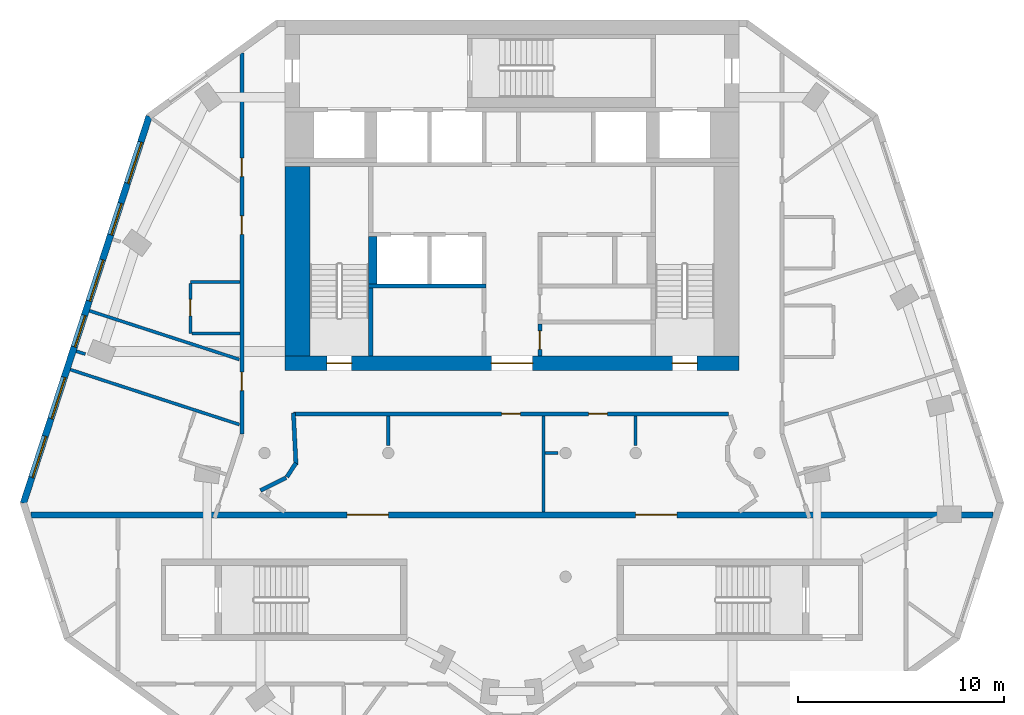
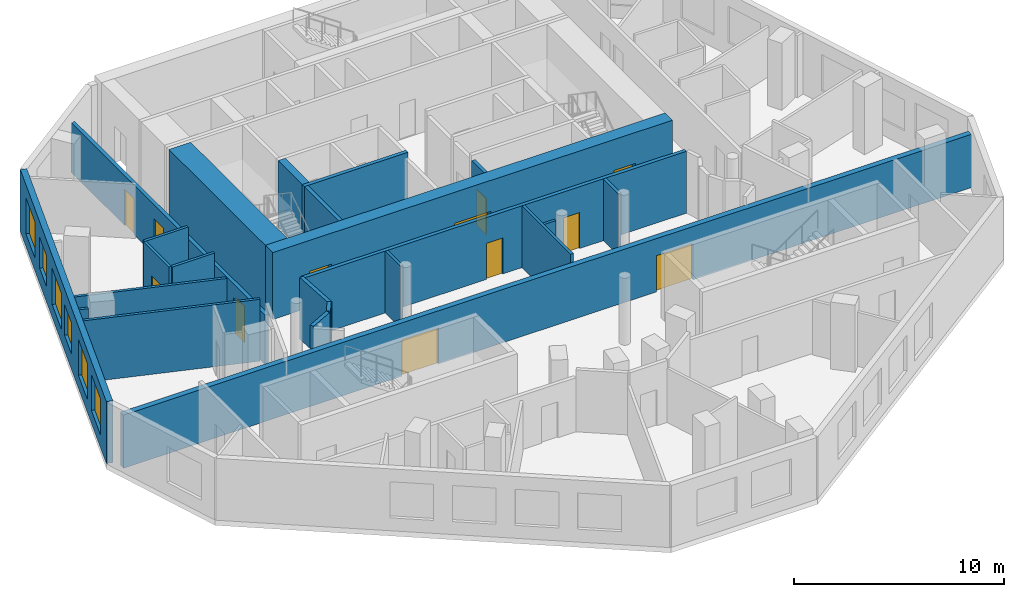
# One storey, part 3 of 9: 23 walls, 12 doors, 6 windows, 18 openings.
"""IFC4 building model written with IfcOpenShell, lengths in metres."""

from ifc_helpers import new_model, si_unit, direction, frame, frame_2d, origin, place, context, subcontext, project, spatial, rectangle, extrude, material, layer, layer_set, type_object, element, fill, save


model = new_model("IFC4")

# Units and contexts
model_context = context("Model", 3, precision=1e-05, world=origin(), true_north=direction((0.0, 1.0)))
body_context = subcontext(model_context, "Body", "Model", "MODEL_VIEW")
ifc_project = project(units=[si_unit("LENGTHUNIT", "METRE"), si_unit("AREAUNIT", "SQUARE_METRE"), si_unit("VOLUMEUNIT", "CUBIC_METRE"), si_unit("PLANEANGLEUNIT", "RADIAN"), si_unit("MASSUNIT", "GRAM", prefix="KILO")], contexts=[model_context])

# Site, building, storey
site_placement = place(None, origin())
site = spatial("IfcSite", under=ifc_project, at=site_placement, CompositionType="ELEMENT")
building_placement = place(site_placement, origin())
building = spatial("IfcBuilding", under=site, at=building_placement, Name="White Candle Pilgrim Tower", CompositionType="ELEMENT")
storey_placement = place(building_placement, frame((0.0, 0.0, 256.10009765625)))
storey = spatial("IfcBuildingStorey", under=building, at=storey_placement, Name="L60", CompositionType="ELEMENT", Elevation=256.10009765625)

# Wall, openings, doors
ifc_material_1 = material(Name="Gypsum board on steel studs", Category="steel")
ifc_layer_1 = layer(ifc_material_1, 0.199951171875)
ifc_layer_set_1 = layer_set([ifc_layer_1], Name="Corridor wall 200 mm EI 45")
wall_type_1 = type_object("IfcWallType", Name="Corridor wall 200 mm EI 45", PredefinedType="PARTITIONING", material=ifc_layer_set_1)
wall_1_placement = place(storey_placement, frame((56.89990234375, 67.928466796875, 0.0), z_axis=(0.0, 0.0, 1.0), x_axis=(0.0, 1.0, 0.0)))
wall_1 = element("IfcWall", 1, at=wall_1_placement, inside=storey, type_object=wall_type_1, Name="WL-L60-P003", PredefinedType="PARTITIONING", context=body_context, shape_type="SweptSolid", body=[
    extrude(rectangle(XDim=18.4677734375, YDim=0.199951171875, at=frame_2d((9.23388671875, 0.0))), origin(), (0.0, 0.0, 1.0), 2.89990234375),
])
opening_1_placement = place(wall_1_placement, frame((2.0947265625, 0.0, 0.0)))
opening_1 = element("IfcOpeningElement", 2, at=opening_1_placement, cuts=wall_1, Name="Opening T18-118", PredefinedType="OPENING", context=body_context, shape_type="SweptSolid", body=[
    extrude(rectangle(XDim=0.89990234375, YDim=2.10009765625, at=frame_2d((0.449951171875, 1.050048828125))), frame((0.0, 0.10986328125, 0.0), z_axis=(0.0, -1.0, 0.0), x_axis=(1.0, 0.0, 0.0)), (0.0, 0.0, 1.0), 0.219970703125),
])
opening_2_placement = place(wall_1_placement, frame((9.6767578125, 0.0, 0.0)))
opening_2 = element("IfcOpeningElement", 3, at=opening_2_placement, cuts=wall_1, Name="Opening T18-119", PredefinedType="OPENING", context=body_context, shape_type="SweptSolid", body=[
    extrude(rectangle(XDim=0.89990234375, YDim=2.10009765625, at=frame_2d((0.449951171875, 1.050048828125))), frame((0.0, 0.10986328125, 0.0), z_axis=(0.0, -1.0, 0.0), x_axis=(1.0, 0.0, 0.0)), (0.0, 0.0, 1.0), 0.219970703125),
])
opening_3_placement = place(wall_1_placement, frame((12.4775390625, 0.0, 0.0)))
opening_3 = element("IfcOpeningElement", 4, at=opening_3_placement, cuts=wall_1, Name="Opening T18-120", PredefinedType="OPENING", context=body_context, shape_type="SweptSolid", body=[
    extrude(rectangle(XDim=0.89990234375, YDim=2.10009765625, at=frame_2d((0.449951171875, 1.050048828125))), frame((0.0, 0.10986328125, 0.0), z_axis=(0.0, -1.0, 0.0), x_axis=(1.0, 0.0, 0.0)), (0.0, 0.0, 1.0), 0.219970703125),
])
ifc_material_2 = material(Name="Steel door leaf", Category="steel")
door_type_1 = type_object("IfcDoorType", Name="Fire door 900 x 2100 EI 30", OperationType="NOTDEFINED", PredefinedType="DOOR", material=ifc_material_2)
door_1_placement = place(opening_1_placement, origin())
door_1 = element("IfcDoor", 5, at=door_1_placement, inside=storey, type_object=door_type_1, Name="Door T18-118", OperationType="SINGLE_SWING_RIGHT", OverallHeight=2.10009765625, OverallWidth=0.89990234375, PredefinedType="DOOR", context=body_context, shape_type="SweptSolid", body=[
    extrude(rectangle(XDim=0.89990234375, YDim=2.10009765625, at=frame_2d((0.449951171875, 1.050048828125))), frame((0.0, 0.02490234375, 0.0), z_axis=(0.0, -1.0, 0.0), x_axis=(1.0, 0.0, 0.0)), (0.0, 0.0, 1.0), 0.050048828125),
])
fill(opening_1, door_1)
door_2_placement = place(opening_2_placement, origin())
door_2 = element("IfcDoor", 6, at=door_2_placement, inside=storey, type_object=door_type_1, Name="Door T18-119", OperationType="SINGLE_SWING_LEFT", OverallHeight=2.10009765625, OverallWidth=0.89990234375, PredefinedType="DOOR", context=body_context, shape_type="SweptSolid", body=[
    extrude(rectangle(XDim=0.89990234375, YDim=2.10009765625, at=frame_2d((0.449951171875, 1.050048828125))), frame((0.0, 0.02490234375, 0.0), z_axis=(0.0, -1.0, 0.0), x_axis=(1.0, 0.0, 0.0)), (0.0, 0.0, 1.0), 0.050048828125),
])
fill(opening_2, door_2)
door_3_placement = place(opening_3_placement, origin())
door_3 = element("IfcDoor", 7, at=door_3_placement, inside=storey, type_object=door_type_1, Name="Door T18-120", OperationType="SINGLE_SWING_RIGHT", OverallHeight=2.10009765625, OverallWidth=0.89990234375, PredefinedType="DOOR", context=body_context, shape_type="SweptSolid", body=[
    extrude(rectangle(XDim=0.89990234375, YDim=2.10009765625, at=frame_2d((0.449951171875, 1.050048828125))), frame((0.0, 0.02490234375, 0.0), z_axis=(0.0, -1.0, 0.0), x_axis=(1.0, 0.0, 0.0)), (0.0, 0.0, 1.0), 0.050048828125),
])
fill(opening_3, door_3)

wall_2_placement = place(storey_placement, frame((80.498291015625, 68.89990234375, 0.0), z_axis=(0.0, 0.0, 1.0), x_axis=(-1.0, 0.0, 0.0)))
wall_2 = element("IfcWall", 8, at=wall_2_placement, inside=storey, type_object=wall_type_1, Name="WL-L60-P018", PredefinedType="PARTITIONING", context=body_context, shape_type="SweptSolid", body=[
    extrude(rectangle(XDim=21.09521484375, YDim=0.199951171875, at=frame_2d((10.547607421875, 0.0))), origin(), (0.0, 0.0, 1.0), 3.599853515625),
])
opening_4_placement = place(wall_2_placement, frame((5.878662109375, 0.0, 0.0)))
opening_4 = element("IfcOpeningElement", 9, at=opening_4_placement, cuts=wall_2, Name="Opening T18-125", PredefinedType="OPENING", context=body_context, shape_type="SweptSolid", body=[
    extrude(rectangle(XDim=0.89990234375, YDim=2.10009765625, at=frame_2d((0.449951171875, 1.050048828125))), frame((0.0, 0.10986328125, 0.0), z_axis=(0.0, -1.0, 0.0), x_axis=(1.0, 0.0, 0.0)), (0.0, 0.0, 1.0), 0.219970703125),
])
opening_5_placement = place(wall_2_placement, frame((10.09765625, 0.0, 0.0)))
opening_5 = element("IfcOpeningElement", 10, at=opening_5_placement, cuts=wall_2, Name="Opening T18-126", PredefinedType="OPENING", context=body_context, shape_type="SweptSolid", body=[
    extrude(rectangle(XDim=0.89990234375, YDim=2.10009765625, at=frame_2d((0.449951171875, 1.050048828125))), frame((0.0, 0.10986328125, 0.0), z_axis=(0.0, -1.0, 0.0), x_axis=(1.0, 0.0, 0.0)), (0.0, 0.0, 1.0), 0.219970703125),
])
door_4_placement = place(opening_4_placement, origin())
door_4 = element("IfcDoor", 11, at=door_4_placement, inside=storey, type_object=door_type_1, Name="Door T18-125", OperationType="SINGLE_SWING_LEFT", OverallHeight=2.10009765625, OverallWidth=0.89990234375, PredefinedType="DOOR", context=body_context, shape_type="SweptSolid", body=[
    extrude(rectangle(XDim=0.89990234375, YDim=2.10009765625, at=frame_2d((0.449951171875, 1.050048828125))), frame((0.0, 0.02490234375, 0.0), z_axis=(0.0, -1.0, 0.0), x_axis=(1.0, 0.0, 0.0)), (0.0, 0.0, 1.0), 0.050048828125),
])
fill(opening_4, door_4)
door_5_placement = place(opening_5_placement, origin())
door_5 = element("IfcDoor", 12, at=door_5_placement, inside=storey, type_object=door_type_1, Name="Door T18-126", OperationType="SINGLE_SWING_RIGHT", OverallHeight=2.10009765625, OverallWidth=0.89990234375, PredefinedType="DOOR", context=body_context, shape_type="SweptSolid", body=[
    extrude(rectangle(XDim=0.89990234375, YDim=2.10009765625, at=frame_2d((0.449951171875, 1.050048828125))), frame((0.0, 0.02490234375, 0.0), z_axis=(0.0, -1.0, 0.0), x_axis=(1.0, 0.0, 0.0)), (0.0, 0.0, 1.0), 0.050048828125),
])
fill(opening_5, door_5)

# Walls
wall_3_placement = place(storey_placement, frame((59.400634765625, 68.95068359375, 0.0), z_axis=(0.0, 0.0, 1.0), x_axis=(0.04896364113, -0.998800561597, 0.0)))
element("IfcWall", 13, at=wall_3_placement, inside=storey, type_object=wall_type_1, Name="WL-L60-P019", PredefinedType="PARTITIONING", context=body_context, shape_type="SweptSolid", body=[
    extrude(rectangle(XDim=2.537841796875, YDim=0.199951171875, at=frame_2d((1.26904296875, 0.0))), origin(), (0.0, 0.0, 1.0), 3.599853515625),
])
wall_4_placement = place(storey_placement, frame((59.52001953125, 66.5126953125, 0.0), z_axis=(0.0, 0.0, 1.0), x_axis=(-0.543705102189, -0.839276332238, 0.0)))
element("IfcWall", 14, at=wall_4_placement, inside=storey, type_object=wall_type_1, Name="WL-L60-P020", PredefinedType="PARTITIONING", context=body_context, shape_type="SweptSolid", body=[
    extrude(rectangle(XDim=0.802978515625, YDim=0.199951171875, at=frame_2d((0.4013671875, 0.0))), origin(), (0.0, 0.0, 1.0), 3.599853515625),
])
wall_5_placement = place(storey_placement, frame((59.044189453125, 65.8037109375, 0.0), z_axis=(0.0, 0.0, 1.0), x_axis=(-0.894883208543, -0.44630039555, 0.0)))
element("IfcWall", 15, at=wall_5_placement, inside=storey, type_object=wall_type_1, Name="WL-L60-P021", PredefinedType="PARTITIONING", context=body_context, shape_type="SweptSolid", body=[
    extrude(rectangle(XDim=1.390625, YDim=0.199951171875, at=frame_2d((0.6953125, 0.0))), origin(), (0.0, 0.0, 1.0), 3.599853515625),
])

# Wall, openings, windows
ifc_material_3 = material(Name="Precast concrete C40/50", Category="concrete")
ifc_layer_2 = layer(ifc_material_3, 0.320068359375)
ifc_layer_set_2 = layer_set([ifc_layer_2], Name="Facade wall EW1 precast concrete C40/50 pier wall with timber-lined reveals")
wall_type_2 = type_object("IfcWallType", Name="Facade wall EW1 precast concrete C40/50 pier wall with timber-lined reveals", PredefinedType="SOLIDWALL", material=ifc_layer_set_2)
wall_6_placement = place(storey_placement, frame((52.4033203125, 83.326904296875, 0.0), z_axis=(0.0, 0.0, 1.0), x_axis=(-0.309025614403, -0.951053715435, 0.0)))
wall_6 = element("IfcWall", 16, at=wall_6_placement, inside=storey, type_object=wall_type_2, Name="Facade wall L60 WNW", PredefinedType="SOLIDWALL", context=body_context, shape_type="SweptSolid", body=[
    extrude(rectangle(XDim=19.72314453125, YDim=0.320068359375, at=frame_2d((9.861572265625, 0.0))), origin(), (0.0, 0.0, 1.0), 3.599853515625),
])
opening_6_placement = place(wall_6_placement, frame((1.3115234375, 0.0, 0.75)))
opening_6 = element("IfcOpeningElement", 17, at=opening_6_placement, cuts=wall_6, Name="Opening W3", PredefinedType="OPENING", context=body_context, shape_type="SweptSolid", body=[
    extrude(rectangle(XDim=2.10009765625, YDim=2.10009765625, at=frame_2d((1.050048828125, 1.050048828125))), frame((0.0, 0.169921875, 0.0), z_axis=(0.0, -1.0, 0.0), x_axis=(1.0, 0.0, 0.0)), (0.0, 0.0, 1.0), 0.340087890625),
])
opening_7_placement = place(wall_6_placement, frame((4.439208984375, 0.0, 0.89990234375)))
opening_7 = element("IfcOpeningElement", 18, at=opening_7_placement, cuts=wall_6, Name="Opening W2", PredefinedType="OPENING", context=body_context, shape_type="SweptSolid", body=[
    extrude(rectangle(XDim=1.60009765625, YDim=1.800048828125, at=frame_2d((0.800048828125, 0.89990234375))), frame((0.0, 0.169921875, 0.0), z_axis=(0.0, -1.0, 0.0), x_axis=(1.0, 0.0, 0.0)), (0.0, 0.0, 1.0), 0.340087890625),
])
opening_8_placement = place(wall_6_placement, frame((7.3115234375, 0.0, 0.75)))
opening_8 = element("IfcOpeningElement", 19, at=opening_8_placement, cuts=wall_6, Name="Opening W3", PredefinedType="OPENING", context=body_context, shape_type="SweptSolid", body=[
    extrude(rectangle(XDim=2.10009765625, YDim=2.10009765625, at=frame_2d((1.050048828125, 1.050048828125))), frame((0.0, 0.169921875, 0.0), z_axis=(0.0, -1.0, 0.0), x_axis=(1.0, 0.0, 0.0)), (0.0, 0.0, 1.0), 0.340087890625),
])
opening_9_placement = place(wall_6_placement, frame((10.14794921875, 0.0, 0.89990234375)))
opening_9 = element("IfcOpeningElement", 20, at=opening_9_placement, cuts=wall_6, Name="Opening W2", PredefinedType="OPENING", context=body_context, shape_type="SweptSolid", body=[
    extrude(rectangle(XDim=1.60009765625, YDim=1.800048828125, at=frame_2d((0.800048828125, 0.89990234375))), frame((0.0, 0.169921875, 0.0), z_axis=(0.0, -1.0, 0.0), x_axis=(1.0, 0.0, 0.0)), (0.0, 0.0, 1.0), 0.340087890625),
])
opening_10_placement = place(wall_6_placement, frame((13.3115234375, 0.0, 0.75)))
opening_10 = element("IfcOpeningElement", 21, at=opening_10_placement, cuts=wall_6, Name="Opening W3", PredefinedType="OPENING", context=body_context, shape_type="SweptSolid", body=[
    extrude(rectangle(XDim=2.10009765625, YDim=2.10009765625, at=frame_2d((1.050048828125, 1.050048828125))), frame((0.0, 0.169921875, 0.0), z_axis=(0.0, -1.0, 0.0), x_axis=(1.0, 0.0, 0.0)), (0.0, 0.0, 1.0), 0.340087890625),
])
opening_11_placement = place(wall_6_placement, frame((16.3115234375, 0.0, 0.75)))
opening_11 = element("IfcOpeningElement", 22, at=opening_11_placement, cuts=wall_6, Name="Opening W3", PredefinedType="OPENING", context=body_context, shape_type="SweptSolid", body=[
    extrude(rectangle(XDim=2.10009765625, YDim=2.10009765625, at=frame_2d((1.050048828125, 1.050048828125))), frame((0.0, 0.169921875, 0.0), z_axis=(0.0, -1.0, 0.0), x_axis=(1.0, 0.0, 0.0)), (0.0, 0.0, 1.0), 0.340087890625),
])
ifc_material_4 = material(Name="Timber frame with triple glazing", Category="wood")
window_type_1 = type_object("IfcWindowType", Name="Window W2 1600x1800 timber frame triple glazing", PartitioningType="SINGLE_PANEL", PredefinedType="WINDOW", material=ifc_material_4)
window_1_placement = place(opening_7_placement, origin())
window_1 = element("IfcWindow", 23, at=window_1_placement, inside=storey, type_object=window_type_1, Name="Window W2 L60 WNW 2", OverallHeight=1.800048828125, OverallWidth=1.60009765625, PartitioningType="SINGLE_PANEL", PredefinedType="WINDOW", context=body_context, shape_type="SweptSolid", body=[
    extrude(rectangle(XDim=1.60009765625, YDim=1.800048828125, at=frame_2d((0.800048828125, 0.89990234375))), frame((0.0, 0.070068359375, 0.0), z_axis=(0.0, -1.0, 0.0), x_axis=(1.0, 0.0, 0.0)), (0.0, 0.0, 1.0), 0.06005859375),
])
fill(opening_7, window_1)
window_2_placement = place(opening_9_placement, origin())
window_2 = element("IfcWindow", 24, at=window_2_placement, inside=storey, type_object=window_type_1, Name="Window W2 L60 WNW 4", OverallHeight=1.800048828125, OverallWidth=1.60009765625, PartitioningType="SINGLE_PANEL", PredefinedType="WINDOW", context=body_context, shape_type="SweptSolid", body=[
    extrude(rectangle(XDim=1.60009765625, YDim=1.800048828125, at=frame_2d((0.800048828125, 0.89990234375))), frame((0.0, 0.070068359375, 0.0), z_axis=(0.0, -1.0, 0.0), x_axis=(1.0, 0.0, 0.0)), (0.0, 0.0, 1.0), 0.06005859375),
])
fill(opening_9, window_2)
window_type_2 = type_object("IfcWindowType", Name="Window W3 2100x2100 timber frame triple glazing", PartitioningType="SINGLE_PANEL", PredefinedType="WINDOW", material=ifc_material_4)
window_3_placement = place(opening_6_placement, origin())
window_3 = element("IfcWindow", 25, at=window_3_placement, inside=storey, type_object=window_type_2, Name="Window W3 L60 WNW 1", OverallHeight=2.10009765625, OverallWidth=2.10009765625, PartitioningType="SINGLE_PANEL", PredefinedType="WINDOW", context=body_context, shape_type="SweptSolid", body=[
    extrude(rectangle(XDim=2.10009765625, YDim=2.10009765625, at=frame_2d((1.050048828125, 1.050048828125))), frame((0.0, 0.070068359375, 0.0), z_axis=(0.0, -1.0, 0.0), x_axis=(1.0, 0.0, 0.0)), (0.0, 0.0, 1.0), 0.06005859375),
])
fill(opening_6, window_3)
window_4_placement = place(opening_8_placement, origin())
window_4 = element("IfcWindow", 26, at=window_4_placement, inside=storey, type_object=window_type_2, Name="Window W3 L60 WNW 3", OverallHeight=2.10009765625, OverallWidth=2.10009765625, PartitioningType="SINGLE_PANEL", PredefinedType="WINDOW", context=body_context, shape_type="SweptSolid", body=[
    extrude(rectangle(XDim=2.10009765625, YDim=2.10009765625, at=frame_2d((1.050048828125, 1.050048828125))), frame((0.0, 0.070068359375, 0.0), z_axis=(0.0, -1.0, 0.0), x_axis=(1.0, 0.0, 0.0)), (0.0, 0.0, 1.0), 0.06005859375),
])
fill(opening_8, window_4)
window_5_placement = place(opening_10_placement, origin())
window_5 = element("IfcWindow", 27, at=window_5_placement, inside=storey, type_object=window_type_2, Name="Window W3 L60 WNW 5", OverallHeight=2.10009765625, OverallWidth=2.10009765625, PartitioningType="SINGLE_PANEL", PredefinedType="WINDOW", context=body_context, shape_type="SweptSolid", body=[
    extrude(rectangle(XDim=2.10009765625, YDim=2.10009765625, at=frame_2d((1.050048828125, 1.050048828125))), frame((0.0, 0.070068359375, 0.0), z_axis=(0.0, -1.0, 0.0), x_axis=(1.0, 0.0, 0.0)), (0.0, 0.0, 1.0), 0.06005859375),
])
fill(opening_10, window_5)
window_6_placement = place(opening_11_placement, origin())
window_6 = element("IfcWindow", 28, at=window_6_placement, inside=storey, type_object=window_type_2, Name="Window W3 L60 WNW 6", OverallHeight=2.10009765625, OverallWidth=2.10009765625, PartitioningType="SINGLE_PANEL", PredefinedType="WINDOW", context=body_context, shape_type="SweptSolid", body=[
    extrude(rectangle(XDim=2.10009765625, YDim=2.10009765625, at=frame_2d((1.050048828125, 1.050048828125))), frame((0.0, 0.070068359375, 0.0), z_axis=(0.0, -1.0, 0.0), x_axis=(1.0, 0.0, 0.0)), (0.0, 0.0, 1.0), 0.06005859375),
])
fill(opening_11, window_6)

# Wall, openings, doors
ifc_material_5 = material(Name="Aerated concrete block", Category="concrete")
ifc_layer_3 = layer(ifc_material_5, 0.300048828125)
ifc_layer_set_3 = layer_set([ifc_layer_3], Name="Fire wall 300 mm REI 240")
wall_type_3 = type_object("IfcWallType", Name="Fire wall 300 mm REI 240", PredefinedType="PARTITIONING", material=ifc_layer_set_3)
wall_7_placement = place(storey_placement, frame((46.66162109375, 64.0, 0.0), z_axis=(0.0, 0.0, 1.0), x_axis=(1.0, 0.0, 0.0)))
wall_7 = element("IfcWall", 29, at=wall_7_placement, inside=storey, type_object=wall_type_3, Name="WL-L60-P001", PredefinedType="PARTITIONING", context=body_context, shape_type="SweptSolid", body=[
    extrude(rectangle(XDim=46.6767578125, YDim=0.300048828125, at=frame_2d((23.33837890625, 0.0))), origin(), (0.0, 0.0, 1.0), 3.099853515625),
])
opening_12_placement = place(wall_7_placement, frame((15.337646484375, 0.0, 0.0)))
opening_12 = element("IfcOpeningElement", 30, at=opening_12_placement, cuts=wall_7, Name="Opening T18-115", PredefinedType="OPENING", context=body_context, shape_type="SweptSolid", body=[
    extrude(rectangle(XDim=2.0, YDim=2.10009765625, at=frame_2d((1.0, 1.050048828125))), frame((0.0, 0.159912109375, 0.0), z_axis=(0.0, -1.0, 0.0), x_axis=(1.0, 0.0, 0.0)), (0.0, 0.0, 1.0), 0.320068359375),
])
opening_13_placement = place(wall_7_placement, frame((29.339111328125, 0.0, 0.0)))
opening_13 = element("IfcOpeningElement", 31, at=opening_13_placement, cuts=wall_7, Name="Opening T18-116", PredefinedType="OPENING", context=body_context, shape_type="SweptSolid", body=[
    extrude(rectangle(XDim=2.0, YDim=2.10009765625, at=frame_2d((1.0, 1.050048828125))), frame((0.0, 0.159912109375, 0.0), z_axis=(0.0, -1.0, 0.0), x_axis=(1.0, 0.0, 0.0)), (0.0, 0.0, 1.0), 0.320068359375),
])
door_type_2 = type_object("IfcDoorType", Name="Fire door 2000 x 2100 EI 60", OperationType="NOTDEFINED", PredefinedType="DOOR", material=ifc_material_2)
door_6_placement = place(opening_12_placement, origin())
door_6 = element("IfcDoor", 32, at=door_6_placement, inside=storey, type_object=door_type_2, Name="Door T18-115", OperationType="DOUBLE_DOOR_SINGLE_SWING", OverallHeight=2.10009765625, OverallWidth=2.0, PredefinedType="DOOR", context=body_context, shape_type="SweptSolid", body=[
    extrude(rectangle(XDim=2.0, YDim=2.10009765625, at=frame_2d((1.0, 1.050048828125))), frame((0.0, 0.02490234375, 0.0), z_axis=(0.0, -1.0, 0.0), x_axis=(1.0, 0.0, 0.0)), (0.0, 0.0, 1.0), 0.050048828125),
])
fill(opening_12, door_6)
door_7_placement = place(opening_13_placement, origin())
door_7 = element("IfcDoor", 33, at=door_7_placement, inside=storey, type_object=door_type_2, Name="Door T18-116", OperationType="DOUBLE_DOOR_SINGLE_SWING", OverallHeight=2.10009765625, OverallWidth=2.0, PredefinedType="DOOR", context=body_context, shape_type="SweptSolid", body=[
    extrude(rectangle(XDim=2.0, YDim=2.10009765625, at=frame_2d((1.0, 1.050048828125))), frame((0.0, 0.02490234375, 0.0), z_axis=(0.0, -1.0, 0.0), x_axis=(1.0, 0.0, 0.0)), (0.0, 0.0, 1.0), 0.050048828125),
])
fill(opening_13, door_7)

# Wall, opening, door
ifc_layer_4 = layer(ifc_material_1, 0.199951171875)
ifc_layer_set_4 = layer_set([ifc_layer_4], Name="Lobby wall 200 mm EI 60")
wall_type_4 = type_object("IfcWallType", Name="Lobby wall 200 mm EI 60", PredefinedType="PARTITIONING", material=ifc_layer_set_4)
wall_8_placement = place(storey_placement, frame((71.35009765625, 71.699951171875, 0.0), z_axis=(0.0, 0.0, 1.0), x_axis=(0.0, 1.0, 0.0)))
wall_8 = element("IfcWall", 34, at=wall_8_placement, inside=storey, type_object=wall_type_4, Name="WL-L60-C15", PredefinedType="PARTITIONING", context=body_context, shape_type="SweptSolid", body=[
    extrude(rectangle(XDim=1.550048828125, YDim=0.199951171875, at=frame_2d((0.77490234375, 0.0))), origin(), (0.0, 0.0, 1.0), 3.599853515625),
])
opening_14_placement = place(wall_8_placement, frame((0.324951171875, 0.0, 0.0)))
opening_14 = element("IfcOpeningElement", 35, at=opening_14_placement, cuts=wall_8, Name="Opening T18-006", PredefinedType="OPENING", context=body_context, shape_type="SweptSolid", body=[
    extrude(rectangle(XDim=0.89990234375, YDim=2.10009765625, at=frame_2d((0.449951171875, 1.050048828125))), frame((0.0, 0.10986328125, 0.0), z_axis=(0.0, -1.0, 0.0), x_axis=(1.0, 0.0, 0.0)), (0.0, 0.0, 1.0), 0.219970703125),
])
door_8_placement = place(opening_14_placement, origin())
door_8 = element("IfcDoor", 36, at=door_8_placement, inside=storey, type_object=door_type_1, Name="Door T18-006", OperationType="SINGLE_SWING_RIGHT", OverallHeight=2.10009765625, OverallWidth=0.89990234375, PredefinedType="DOOR", context=body_context, shape_type="SweptSolid", body=[
    extrude(rectangle(XDim=0.89990234375, YDim=2.10009765625, at=frame_2d((0.449951171875, 1.050048828125))), frame((0.0, 0.02490234375, 0.0), z_axis=(0.0, -1.0, 0.0), x_axis=(1.0, 0.0, 0.0)), (0.0, 0.0, 1.0), 0.050048828125),
])
fill(opening_14, door_8)

# Walls
ifc_layer_5 = layer(ifc_material_1, 0.14990234375)
ifc_layer_set_5 = layer_set([ifc_layer_5], Name="Partition 150 mm EI 60")
wall_type_5 = type_object("IfcWallType", Name="Partition 150 mm EI 60", PredefinedType="PARTITIONING", material=ifc_layer_set_5)
wall_9_placement = place(storey_placement, frame((49.508056640625, 73.898681640625, 0.0), z_axis=(0.0, 0.0, 1.0), x_axis=(0.951054958968, -0.309021787293, 0.0)))
element("IfcWall", 37, at=wall_9_placement, inside=storey, type_object=wall_type_5, Name="WL-L60-P031", PredefinedType="PARTITIONING", context=body_context, shape_type="SweptSolid", body=[
    extrude(rectangle(XDim=7.642822265625, YDim=0.14990234375, at=frame_2d((3.8212890625, 0.0))), origin(), (0.0, 0.0, 1.0), 2.89990234375),
])
wall_10_placement = place(storey_placement, frame((48.5810546875, 71.04541015625, 0.0), z_axis=(0.0, 0.0, 1.0), x_axis=(0.951052804469, -0.309028417967, 0.0)))
element("IfcWall", 38, at=wall_10_placement, inside=storey, type_object=wall_type_5, Name="WL-L60-P032", PredefinedType="PARTITIONING", context=body_context, shape_type="SweptSolid", body=[
    extrude(rectangle(XDim=8.61767578125, YDim=0.14990234375, at=frame_2d((4.308837890625, 0.0))), origin(), (0.0, 0.0, 1.0), 3.599853515625),
])
wall_11_placement = place(storey_placement, frame((56.800048828125, 75.296875, 0.0), z_axis=(0.0, 0.0, 1.0), x_axis=(-1.0, 0.0, 0.0)))
element("IfcWall", 39, at=wall_11_placement, inside=storey, type_object=wall_type_5, Name="WL-L60-P033", PredefinedType="PARTITIONING", context=body_context, shape_type="SweptSolid", body=[
    extrude(rectangle(XDim=2.400146484375, YDim=0.14990234375, at=frame_2d((1.2001953125, 0.0))), origin(), (0.0, 0.0, 1.0), 3.599853515625),
])

# Wall, opening, door
wall_12_placement = place(storey_placement, frame((54.39990234375, 72.796875, 0.0), z_axis=(0.0, 0.0, 1.0), x_axis=(0.0, 1.0, 0.0)))
wall_12 = element("IfcWall", 40, at=wall_12_placement, inside=storey, type_object=wall_type_5, Name="WL-L60-P034", PredefinedType="PARTITIONING", context=body_context, shape_type="SweptSolid", body=[
    extrude(rectangle(XDim=2.4248046875, YDim=0.14990234375, at=frame_2d((1.21240234375, 0.0))), origin(), (0.0, 0.0, 1.0), 3.599853515625),
])
opening_15_placement = place(wall_12_placement, frame((0.85009765625, 0.0, 0.0)))
opening_15 = element("IfcOpeningElement", 41, at=opening_15_placement, cuts=wall_12, Name="Opening T18-101", PredefinedType="OPENING", context=body_context, shape_type="SweptSolid", body=[
    extrude(rectangle(XDim=0.800048828125, YDim=2.10009765625, at=frame_2d((0.39990234375, 1.050048828125))), frame((0.0, 0.0849609375, 0.0), z_axis=(0.0, -1.0, 0.0), x_axis=(1.0, 0.0, 0.0)), (0.0, 0.0, 1.0), 0.169921875),
])
door_type_3 = type_object("IfcDoorType", Name="Fire door 800 x 2100 EI 30", OperationType="NOTDEFINED", PredefinedType="DOOR", material=ifc_material_2)
door_9_placement = place(opening_15_placement, origin())
door_9 = element("IfcDoor", 42, at=door_9_placement, inside=storey, type_object=door_type_3, Name="Door T18-101", OperationType="SINGLE_SWING_LEFT", OverallHeight=2.10009765625, OverallWidth=0.800048828125, PredefinedType="DOOR", context=body_context, shape_type="SweptSolid", body=[
    extrude(rectangle(XDim=0.800048828125, YDim=2.10009765625, at=frame_2d((0.39990234375, 1.050048828125))), frame((0.0, 0.02490234375, 0.0), z_axis=(0.0, -1.0, 0.0), x_axis=(1.0, 0.0, 0.0)), (0.0, 0.0, 1.0), 0.050048828125),
])
fill(opening_15, door_9)

# Walls
wall_13_placement = place(storey_placement, frame((56.800048828125, 72.796875, 0.0), z_axis=(0.0, 0.0, 1.0), x_axis=(-1.0, 0.0, 0.0)))
element("IfcWall", 43, at=wall_13_placement, inside=storey, type_object=wall_type_5, Name="WL-L60-P035", PredefinedType="PARTITIONING", context=body_context, shape_type="SweptSolid", body=[
    extrude(rectangle(XDim=2.324951171875, YDim=0.14990234375, at=frame_2d((1.16259765625, 0.0))), origin(), (0.0, 0.0, 1.0), 3.599853515625),
])
wall_14_placement = place(storey_placement, frame((71.51904296875, 64.14990234375, 0.0), z_axis=(0.0, 0.0, 1.0), x_axis=(0.0, 1.0, 0.0)))
element("IfcWall", 44, at=wall_14_placement, inside=storey, type_object=wall_type_5, Name="WL-L60-P055", PredefinedType="PARTITIONING", context=body_context, shape_type="SweptSolid", body=[
    extrude(rectangle(XDim=4.650146484375, YDim=0.14990234375, at=frame_2d((2.3251953125, 0.0))), origin(), (0.0, 0.0, 1.0), 3.599853515625),
])
wall_15_placement = place(storey_placement, frame((49.308349609375, 71.7958984375, 0.0), z_axis=(0.0, 0.0, 1.0), x_axis=(-0.951045774968, 0.309050050827, 0.0)))
element("IfcWall", 45, at=wall_15_placement, inside=storey, type_object=wall_type_5, Name="WL-L60-P060", PredefinedType="PARTITIONING", context=body_context, shape_type="SweptSolid", body=[
    extrude(rectangle(XDim=0.459716796875, YDim=0.14990234375, at=frame_2d((0.22998046875, 0.0))), origin(), (0.0, 0.0, 1.0), 3.599853515625),
])
wall_16_placement = place(storey_placement, frame((63.997802734375, 67.364990234375, 0.0), z_axis=(0.0, 0.0, 1.0), x_axis=(0.0, 1.0, 0.0)))
element("IfcWall", 46, at=wall_16_placement, inside=storey, type_object=wall_type_5, Name="WL-L60-P061", PredefinedType="PARTITIONING", context=body_context, shape_type="SweptSolid", body=[
    extrude(rectangle(XDim=1.43505859375, YDim=0.14990234375, at=frame_2d((0.717529296875, 0.0))), origin(), (0.0, 0.0, 1.0), 3.599853515625),
])
wall_17_placement = place(storey_placement, frame((72.235107421875, 66.997802734375, 0.0), z_axis=(0.0, 0.0, 1.0), x_axis=(-1.0, 0.0, 0.0)))
element("IfcWall", 47, at=wall_17_placement, inside=storey, type_object=wall_type_5, Name="WL-L60-P062", PredefinedType="PARTITIONING", context=body_context, shape_type="SweptSolid", body=[
    extrude(rectangle(XDim=0.64111328125, YDim=0.14990234375, at=frame_2d((0.320556640625, 0.0))), origin(), (0.0, 0.0, 1.0), 3.599853515625),
])
wall_18_placement = place(storey_placement, frame((75.997802734375, 67.364990234375, 0.0), z_axis=(0.0, 0.0, 1.0), x_axis=(0.0, 1.0, 0.0)))
element("IfcWall", 48, at=wall_18_placement, inside=storey, type_object=wall_type_5, Name="WL-L60-P063", PredefinedType="PARTITIONING", context=body_context, shape_type="SweptSolid", body=[
    extrude(rectangle(XDim=1.43505859375, YDim=0.14990234375, at=frame_2d((0.717529296875, 0.0))), origin(), (0.0, 0.0, 1.0), 3.599853515625),
])
ifc_material_6 = material(Name="Concrete C50/60", Category="concrete")
ifc_layer_6 = layer(ifc_material_6, 1.199951171875)
ifc_layer_set_6 = layer_set([ifc_layer_6], Name="Stair shaft wall 1200 mm Concrete C50/60")
wall_type_6 = type_object("IfcWallType", Name="Stair shaft wall 1200 mm Concrete C50/60", PredefinedType="SHEAR", material=ifc_layer_set_6)
wall_19_placement = place(storey_placement, frame((59.60009765625, 71.699951171875, 0.0), z_axis=(0.0, 0.0, 1.0), x_axis=(0.0, 1.0, 0.0)))
element("IfcWall", 49, at=wall_19_placement, inside=storey, type_object=wall_type_6, Name="WL-L60-C12", PredefinedType="SHEAR", context=body_context, shape_type="SweptSolid", body=[
    extrude(rectangle(XDim=9.199951171875, YDim=1.199951171875, at=frame_2d((4.60009765625, 0.0))), origin(), (0.0, 0.0, 1.0), 3.89990234375),
])
ifc_layer_7 = layer(ifc_material_6, 0.199951171875)
ifc_layer_set_7 = layer_set([ifc_layer_7], Name="Stair shaft wall 200 mm Concrete C50/60")
wall_type_7 = type_object("IfcWallType", Name="Stair shaft wall 200 mm Concrete C50/60", PredefinedType="SHEAR", material=ifc_layer_set_7)
wall_20_placement = place(storey_placement, frame((63.14990234375, 71.699951171875, 0.0), z_axis=(0.0, 0.0, 1.0), x_axis=(0.0, 1.0, 0.0)))
element("IfcWall", 50, at=wall_20_placement, inside=storey, type_object=wall_type_7, Name="WL-L60-C13", PredefinedType="SHEAR", context=body_context, shape_type="SweptSolid", body=[
    extrude(rectangle(XDim=3.300048828125, YDim=0.199951171875, at=frame_2d((1.64990234375, 0.0))), origin(), (0.0, 0.0, 1.0), 3.89990234375),
])
wall_21_placement = place(storey_placement, frame((63.050048828125, 75.10009765625, 0.0), z_axis=(0.0, 0.0, 1.0), x_axis=(1.0, 0.0, 0.0)))
element("IfcWall", 51, at=wall_21_placement, inside=storey, type_object=wall_type_7, Name="WL-L60-C21", PredefinedType="SHEAR", context=body_context, shape_type="SweptSolid", body=[
    extrude(rectangle(XDim=5.699951171875, YDim=0.199951171875, at=frame_2d((2.85009765625, 0.0))), origin(), (0.0, 0.0, 1.0), 3.89990234375),
])
ifc_layer_8 = layer(ifc_material_6, 0.39990234375)
ifc_layer_set_8 = layer_set([ifc_layer_8], Name="Stair shaft wall 400 mm Concrete C50/60")
wall_type_8 = type_object("IfcWallType", Name="Stair shaft wall 400 mm Concrete C50/60", PredefinedType="SHEAR", material=ifc_layer_set_8)
wall_22_placement = place(storey_placement, frame((63.25, 75.199951171875, 0.0), z_axis=(0.0, 0.0, 1.0), x_axis=(0.0, 1.0, 0.0)))
element("IfcWall", 52, at=wall_22_placement, inside=storey, type_object=wall_type_8, Name="WL-L60-C23", PredefinedType="SHEAR", context=body_context, shape_type="SweptSolid", body=[
    extrude(rectangle(XDim=2.300048828125, YDim=0.39990234375, at=frame_2d((1.14990234375, 0.0))), origin(), (0.0, 0.0, 1.0), 3.89990234375),
])

# Wall, openings, doors
ifc_layer_9 = layer(ifc_material_6, 0.699951171875)
ifc_layer_set_9 = layer_set([ifc_layer_9], Name="Stair shaft wall 700 mm Concrete C50/60")
wall_type_9 = type_object("IfcWallType", Name="Stair shaft wall 700 mm Concrete C50/60", PredefinedType="SHEAR", material=ifc_layer_set_9)
wall_23_placement = place(storey_placement, frame((59.0, 71.35009765625, 0.0), z_axis=(0.0, 0.0, 1.0), x_axis=(1.0, 0.0, 0.0)))
wall_23 = element("IfcWall", 53, at=wall_23_placement, inside=storey, type_object=wall_type_9, Name="WL-L60-C11", PredefinedType="SHEAR", context=body_context, shape_type="SweptSolid", body=[
    extrude(rectangle(XDim=22.0, YDim=0.699951171875, at=frame_2d((11.0, 0.0))), origin(), (0.0, 0.0, 1.0), 3.89990234375),
])
opening_16_placement = place(wall_23_placement, frame((2.02490234375, 0.0, 0.0)))
opening_16 = element("IfcOpeningElement", 54, at=opening_16_placement, cuts=wall_23, Name="Opening T18-001", PredefinedType="OPENING", context=body_context, shape_type="SweptSolid", body=[
    extrude(rectangle(XDim=1.199951171875, YDim=2.10009765625, at=frame_2d((0.60009765625, 1.050048828125))), frame((0.0, 0.35986328125, 0.0), z_axis=(0.0, -1.0, 0.0), x_axis=(1.0, 0.0, 0.0)), (0.0, 0.0, 1.0), 0.719970703125),
])
opening_17_placement = place(wall_23_placement, frame((18.77490234375, 0.0, 0.0)))
opening_17 = element("IfcOpeningElement", 55, at=opening_17_placement, cuts=wall_23, Name="Opening T18-002", PredefinedType="OPENING", context=body_context, shape_type="SweptSolid", body=[
    extrude(rectangle(XDim=1.199951171875, YDim=2.10009765625, at=frame_2d((0.60009765625, 1.050048828125))), frame((0.0, 0.35986328125, 0.0), z_axis=(0.0, -1.0, 0.0), x_axis=(1.0, 0.0, 0.0)), (0.0, 0.0, 1.0), 0.719970703125),
])
opening_18_placement = place(wall_23_placement, frame((10.0, 0.0, 0.0)))
opening_18 = element("IfcOpeningElement", 56, at=opening_18_placement, cuts=wall_23, Name="Opening T18-004", PredefinedType="OPENING", context=body_context, shape_type="SweptSolid", body=[
    extrude(rectangle(XDim=2.0, YDim=2.10009765625, at=frame_2d((1.0, 1.050048828125))), frame((0.0, 0.35986328125, 0.0), z_axis=(0.0, -1.0, 0.0), x_axis=(1.0, 0.0, 0.0)), (0.0, 0.0, 1.0), 0.719970703125),
])
door_type_4 = type_object("IfcDoorType", Name="Fire door 1200 x 2100 EI 60", OperationType="NOTDEFINED", PredefinedType="DOOR", material=ifc_material_2)
door_10_placement = place(opening_16_placement, frame((1.199951171875, 0.0, 0.0), z_axis=(0.0, 0.0, 1.0), x_axis=(-1.0, 0.0, 0.0)))
door_10 = element("IfcDoor", 57, at=door_10_placement, inside=storey, type_object=door_type_4, Name="Door T18-001", OperationType="SINGLE_SWING_RIGHT", OverallHeight=2.10009765625, OverallWidth=1.199951171875, PredefinedType="DOOR", context=body_context, shape_type="SweptSolid", body=[
    extrude(rectangle(XDim=1.199951171875, YDim=2.10009765625, at=frame_2d((0.60009765625, 1.050048828125))), frame((0.0, 0.02490234375, 0.0), z_axis=(0.0, -1.0, 0.0), x_axis=(1.0, 0.0, 0.0)), (0.0, 0.0, 1.0), 0.050048828125),
])
fill(opening_16, door_10)
door_11_placement = place(opening_17_placement, frame((1.199951171875, 0.0, 0.0), z_axis=(0.0, 0.0, 1.0), x_axis=(-1.0, 0.0, 0.0)))
door_11 = element("IfcDoor", 58, at=door_11_placement, inside=storey, type_object=door_type_4, Name="Door T18-002", OperationType="SINGLE_SWING_LEFT", OverallHeight=2.10009765625, OverallWidth=1.199951171875, PredefinedType="DOOR", context=body_context, shape_type="SweptSolid", body=[
    extrude(rectangle(XDim=1.199951171875, YDim=2.10009765625, at=frame_2d((0.60009765625, 1.050048828125))), frame((0.0, 0.02490234375, 0.0), z_axis=(0.0, -1.0, 0.0), x_axis=(1.0, 0.0, 0.0)), (0.0, 0.0, 1.0), 0.050048828125),
])
fill(opening_17, door_11)
door_12_placement = place(opening_18_placement, frame((2.0, 0.0, 0.0), z_axis=(0.0, 0.0, 1.0), x_axis=(-1.0, 0.0, 0.0)))
door_12 = element("IfcDoor", 59, at=door_12_placement, inside=storey, type_object=door_type_2, Name="Door T18-004", OperationType="DOUBLE_DOOR_SINGLE_SWING", OverallHeight=2.10009765625, OverallWidth=2.0, PredefinedType="DOOR", context=body_context, shape_type="SweptSolid", body=[
    extrude(rectangle(XDim=2.0, YDim=2.10009765625, at=frame_2d((1.0, 1.050048828125))), frame((0.0, 0.02490234375, 0.0), z_axis=(0.0, -1.0, 0.0), x_axis=(1.0, 0.0, 0.0)), (0.0, 0.0, 1.0), 0.050048828125),
])
fill(opening_18, door_12)

save(model, "model.ifc")
